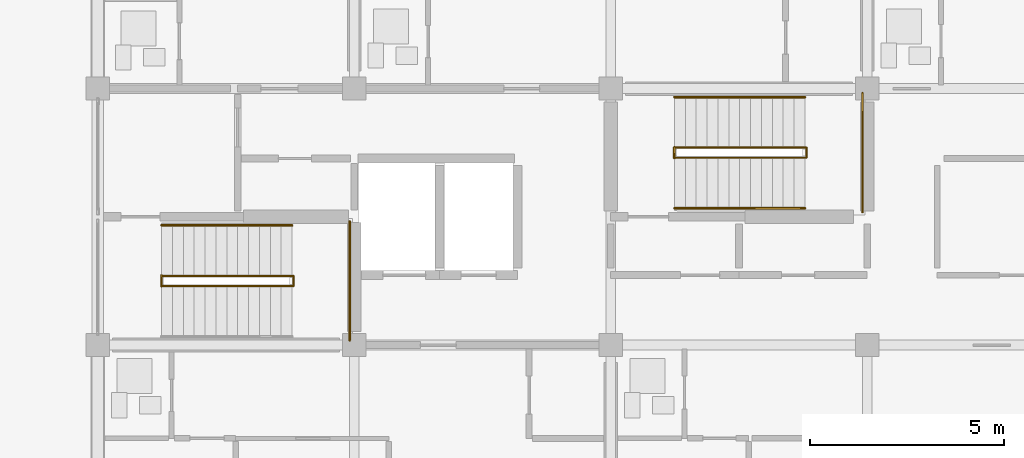
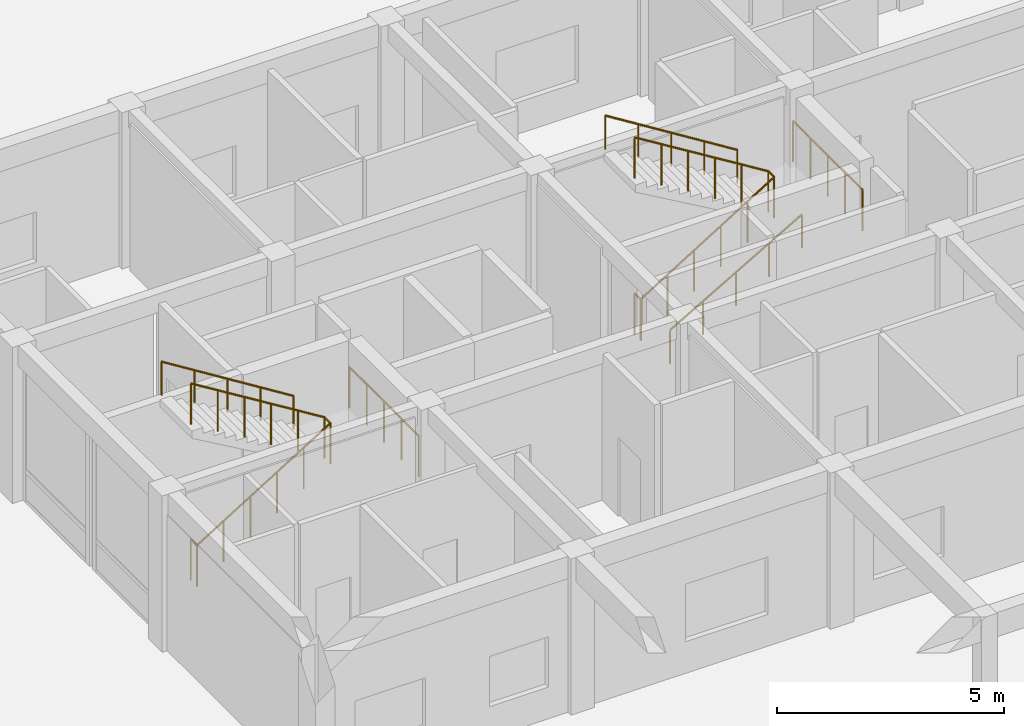
# One storey, part 86 of 92: 9 railings.
"""IFC4 building model written with IfcOpenShell, lengths in metres."""

from ifc_helpers import new_model, si_unit, direction, frame, origin, origin_2d, place, context, subcontext, project, spatial, circle, extrude, material, type_object, element, save


model = new_model("IFC4")

# Units and contexts
model_context = context("Model", 3, precision=1e-05, world=origin(), true_north=direction((0.0, 1.0)))
body_context = subcontext(model_context, "Body", "Model", "MODEL_VIEW")
ifc_project = project(units=[si_unit("LENGTHUNIT", "METRE"), si_unit("AREAUNIT", "SQUARE_METRE"), si_unit("VOLUMEUNIT", "CUBIC_METRE"), si_unit("PLANEANGLEUNIT", "RADIAN"), si_unit("MASSUNIT", "GRAM", prefix="KILO")], contexts=[model_context])

# Site, building, storey
site_placement = place(None, origin())
site = spatial("IfcSite", under=ifc_project, at=site_placement, CompositionType="ELEMENT")
building_placement = place(site_placement, origin())
building = spatial("IfcBuilding", under=site, at=building_placement, Name="Kernevlak Ridge Housing Community", CompositionType="ELEMENT")
storey_placement = place(building_placement, frame((0.0, 0.0, 4.199951171875)))
storey = spatial("IfcBuildingStorey", under=building, at=storey_placement, Name="L01", CompositionType="ELEMENT", Elevation=4.199951171875)

# Railings
ifc_material_1 = material(Name="Steel S355", Category="steel")
railing_type_1 = type_object("IfcRailingType", Name="GR-02", PredefinedType="GUARDRAIL", material=ifc_material_1)
railing_1_placement = place(storey_placement, frame((17.239990234375, 84.110107421875, 0.0)))
element("IfcRailing", 1, at=railing_1_placement, inside=storey, type_object=railing_type_1, Name="Stair ST-A1 L01 well slot guard", PredefinedType="GUARDRAIL", context=body_context, shape_type="SweptSolid", body=[
    extrude(circle(Radius=0.02392578125, at=origin_2d()), frame((0.0, 0.0, 1.09619140625), z_axis=(0.0, 1.0, 0.0), x_axis=(-1.0, 0.0, 0.0)), (0.0, 0.0, 1.0), 0.27978515625),
    extrude(circle(Radius=0.02099609375, at=origin_2d()), origin(), (0.0, 0.0, 1.0), 1.072021484375),
    extrude(circle(Radius=0.02099609375, at=origin_2d()), frame((0.0, 0.27978515625, 0.0)), (0.0, 0.0, 1.0), 1.072021484375),
])
railing_2_placement = place(storey_placement, frame((17.239990234375, 84.1201171875, 0.0)))
element("IfcRailing", 2, at=railing_2_placement, inside=storey, type_object=railing_type_1, Name="Stair ST-A1 L01 inner well guardrail", PredefinedType="GUARDRAIL", context=body_context, shape_type="SweptSolid", body=[
    extrude(circle(Radius=0.02392578125, at=origin_2d()), frame((0.0, 0.0, 1.09619140625), z_axis=(0.850780323153, 0.0, 0.525521495028), x_axis=(0.0, 1.0, 0.0)), (0.0, 0.0, 1.0), 3.996337890625),
    extrude(circle(Radius=0.02392578125, at=origin_2d()), frame((3.39990234375, 0.0, 3.1962890625), z_axis=(0.0, 1.0, 0.0), x_axis=(-1.0, 0.0, 0.0)), (0.0, 0.0, 1.0), 0.259765625),
    extrude(circle(Radius=0.02392578125, at=origin_2d()), frame((3.39990234375, 0.259765625, 3.1962890625), z_axis=(-0.85080763774, 0.0, 0.525477272167), x_axis=(0.0, -1.0, 0.0)), (0.0, 0.0, 1.0), 3.99609375),
    extrude(circle(Radius=0.02099609375, at=origin_2d()), origin(), (0.0, 0.0, 1.0), 1.072021484375),
    extrude(circle(Radius=0.02099609375, at=origin_2d()), frame((0.679931640625, 0.0, 0.419921875)), (0.0, 0.0, 1.0), 1.072021484375),
    extrude(circle(Radius=0.02099609375, at=origin_2d()), frame((1.35986328125, 0.0, 0.840087890625)), (0.0, 0.0, 1.0), 1.072021484375),
    extrude(circle(Radius=0.02099609375, at=origin_2d()), frame((2.0400390625, 0.0, 1.260009765625)), (0.0, 0.0, 1.0), 1.072021484375),
    extrude(circle(Radius=0.02099609375, at=origin_2d()), frame((2.719970703125, 0.0, 1.68017578125)), (0.0, 0.0, 1.0), 1.072021484375),
    extrude(circle(Radius=0.02099609375, at=origin_2d()), frame((3.39990234375, 0.0, 2.10009765625)), (0.0, 0.0, 1.0), 1.072021484375),
    extrude(circle(Radius=0.02099609375, at=origin_2d()), frame((3.39990234375, 0.259765625, 2.10009765625)), (0.0, 0.0, 1.0), 1.072021484375),
    extrude(circle(Radius=0.02099609375, at=origin_2d()), frame((2.719970703125, 0.259765625, 2.52001953125)), (0.0, 0.0, 1.0), 1.072021484375),
    extrude(circle(Radius=0.02099609375, at=origin_2d()), frame((2.0400390625, 0.259765625, 2.93994140625)), (0.0, 0.0, 1.0), 1.072021484375),
    extrude(circle(Radius=0.02099609375, at=origin_2d()), frame((1.35986328125, 0.259765625, 3.360107421875)), (0.0, 0.0, 1.0), 1.072021484375),
    extrude(circle(Radius=0.02099609375, at=origin_2d()), frame((0.679931640625, 0.259765625, 3.780029296875)), (0.0, 0.0, 1.0), 1.072021484375),
    extrude(circle(Radius=0.02099609375, at=origin_2d()), frame((0.0, 0.259765625, 4.199951171875)), (0.0, 0.0, 1.0), 1.072021484375),
])
railing_3_placement = place(storey_placement, frame((22.080078125, 82.719970703125, 2.10009765625)))
element("IfcRailing", 3, at=railing_3_placement, inside=storey, type_object=railing_type_1, Name="Stair ST-A1 L01 half-landing guard", PredefinedType="GUARDRAIL", context=body_context, shape_type="SweptSolid", body=[
    extrude(circle(Radius=0.02392578125, at=origin_2d()), frame((0.0, 0.0, 1.09619140625), z_axis=(0.0, 1.0, 0.0), x_axis=(-1.0, 0.0, 0.0)), (0.0, 0.0, 1.0), 3.06005859375),
    extrude(circle(Radius=0.02099609375, at=origin_2d()), origin(), (0.0, 0.0, 1.0), 1.072021484375),
    extrude(circle(Radius=0.02099609375, at=origin_2d()), frame((0.0, 0.76513671875, 0.0)), (0.0, 0.0, 1.0), 1.072021484375),
    extrude(circle(Radius=0.02099609375, at=origin_2d()), frame((0.0, 1.530029296875, 0.0)), (0.0, 0.0, 1.0), 1.072021484375),
    extrude(circle(Radius=0.02099609375, at=origin_2d()), frame((0.0, 2.294921875, 0.0)), (0.0, 0.0, 1.0), 1.072021484375),
    extrude(circle(Radius=0.02099609375, at=origin_2d()), frame((0.0, 3.06005859375, 0.0)), (0.0, 0.0, 1.0), 1.072021484375),
])
railing_4_placement = place(storey_placement, frame((30.43994140625, 87.409912109375, 0.0)))
element("IfcRailing", 4, at=railing_4_placement, inside=storey, type_object=railing_type_1, Name="Stair ST-A2 L01 well slot guard", PredefinedType="GUARDRAIL", context=body_context, shape_type="SweptSolid", body=[
    extrude(circle(Radius=0.02392578125, at=origin_2d()), frame((0.0, 0.0, 1.09619140625), z_axis=(0.0, 1.0, 0.0), x_axis=(-1.0, 0.0, 0.0)), (0.0, 0.0, 1.0), 0.280029296875),
    extrude(circle(Radius=0.02099609375, at=origin_2d()), origin(), (0.0, 0.0, 1.0), 1.072021484375),
    extrude(circle(Radius=0.02099609375, at=origin_2d()), frame((0.0, 0.280029296875, 0.0)), (0.0, 0.0, 1.0), 1.072021484375),
])
railing_5_placement = place(storey_placement, frame((30.43994140625, 87.419921875, 0.0)))
element("IfcRailing", 5, at=railing_5_placement, inside=storey, type_object=railing_type_1, Name="Stair ST-A2 L01 inner well guardrail", PredefinedType="GUARDRAIL", context=body_context, shape_type="SweptSolid", body=[
    extrude(circle(Radius=0.02392578125, at=origin_2d()), frame((0.0, 0.0, 1.09619140625), z_axis=(0.850797194049, 0.0, 0.525494181317), x_axis=(0.0, 1.0, 0.0)), (0.0, 0.0, 1.0), 3.996337890625),
    extrude(circle(Radius=0.02392578125, at=origin_2d()), frame((3.400146484375, 0.0, 3.1962890625), z_axis=(0.0, 1.0, 0.0), x_axis=(-1.0, 0.0, 0.0)), (0.0, 0.0, 1.0), 0.260009765625),
    extrude(circle(Radius=0.02392578125, at=origin_2d()), frame((3.400146484375, 0.260009765625, 3.1962890625), z_axis=(-0.850824506338, 0.0, 0.525449959001), x_axis=(0.0, -1.0, 0.0)), (0.0, 0.0, 1.0), 3.996337890625),
    extrude(circle(Radius=0.02099609375, at=origin_2d()), origin(), (0.0, 0.0, 1.0), 1.072021484375),
    extrude(circle(Radius=0.02099609375, at=origin_2d()), frame((0.679931640625, 0.0, 0.419921875)), (0.0, 0.0, 1.0), 1.072021484375),
    extrude(circle(Radius=0.02099609375, at=origin_2d()), frame((1.360107421875, 0.0, 0.840087890625)), (0.0, 0.0, 1.0), 1.072021484375),
    extrude(circle(Radius=0.02099609375, at=origin_2d()), frame((2.0400390625, 0.0, 1.260009765625)), (0.0, 0.0, 1.0), 1.072021484375),
    extrude(circle(Radius=0.02099609375, at=origin_2d()), frame((2.72021484375, 0.0, 1.68017578125)), (0.0, 0.0, 1.0), 1.072021484375),
    extrude(circle(Radius=0.02099609375, at=origin_2d()), frame((3.400146484375, 0.0, 2.10009765625)), (0.0, 0.0, 1.0), 1.072021484375),
    extrude(circle(Radius=0.02099609375, at=origin_2d()), frame((3.400146484375, 0.260009765625, 2.10009765625)), (0.0, 0.0, 1.0), 1.072021484375),
    extrude(circle(Radius=0.02099609375, at=origin_2d()), frame((2.72021484375, 0.260009765625, 2.52001953125)), (0.0, 0.0, 1.0), 1.072021484375),
    extrude(circle(Radius=0.02099609375, at=origin_2d()), frame((2.0400390625, 0.260009765625, 2.93994140625)), (0.0, 0.0, 1.0), 1.072021484375),
    extrude(circle(Radius=0.02099609375, at=origin_2d()), frame((1.360107421875, 0.260009765625, 3.360107421875)), (0.0, 0.0, 1.0), 1.072021484375),
    extrude(circle(Radius=0.02099609375, at=origin_2d()), frame((0.679931640625, 0.260009765625, 3.780029296875)), (0.0, 0.0, 1.0), 1.072021484375),
    extrude(circle(Radius=0.02099609375, at=origin_2d()), frame((0.0, 0.260009765625, 4.199951171875)), (0.0, 0.0, 1.0), 1.072021484375),
])
railing_6_placement = place(storey_placement, frame((35.280029296875, 86.02001953125, 2.10009765625)))
element("IfcRailing", 6, at=railing_6_placement, inside=storey, type_object=railing_type_1, Name="Stair ST-A2 L01 half-landing guard", PredefinedType="GUARDRAIL", context=body_context, shape_type="SweptSolid", body=[
    extrude(circle(Radius=0.02392578125, at=origin_2d()), frame((0.0, 0.0, 1.09619140625), z_axis=(0.0, 1.0, 0.0), x_axis=(-1.0, 0.0, 0.0)), (0.0, 0.0, 1.0), 3.06005859375),
    extrude(circle(Radius=0.02099609375, at=origin_2d()), origin(), (0.0, 0.0, 1.0), 1.072021484375),
    extrude(circle(Radius=0.02099609375, at=origin_2d()), frame((0.0, 0.76513671875, 0.0)), (0.0, 0.0, 1.0), 1.072021484375),
    extrude(circle(Radius=0.02099609375, at=origin_2d()), frame((0.0, 1.530029296875, 0.0)), (0.0, 0.0, 1.0), 1.072021484375),
    extrude(circle(Radius=0.02099609375, at=origin_2d()), frame((0.0, 2.294921875, 0.0)), (0.0, 0.0, 1.0), 1.072021484375),
    extrude(circle(Radius=0.02099609375, at=origin_2d()), frame((0.0, 3.06005859375, 0.0)), (0.0, 0.0, 1.0), 1.072021484375),
])
ifc_material_2 = material(Name="Stainless steel EN 1.4401", Category="steel")
railing_type_2 = type_object("IfcRailingType", Name="HR-01", PredefinedType="HANDRAIL", material=ifc_material_2)
railing_7_placement = place(storey_placement, frame((20.60009765625, 85.679931640625, 2.10009765625)))
element("IfcRailing", 7, at=railing_7_placement, inside=storey, type_object=railing_type_2, Name="Stair ST-A1 L01 flight 2 handrail", PredefinedType="HANDRAIL", context=body_context, shape_type="SweptSolid", body=[
    extrude(circle(Radius=0.02392578125, at=origin_2d()), frame((0.0, 0.0, 0.89599609375), z_axis=(-0.848022534174, 0.0, 0.529960169762), x_axis=(0.0, -1.0, 0.0)), (0.0, 0.0, 1.0), 3.96240234375),
    extrude(circle(Radius=0.02099609375, at=origin_2d()), origin(), (0.0, 0.0, 1.0), 0.871826171875),
    extrude(circle(Radius=0.02099609375, at=origin_2d()), frame((-0.840087890625, 0.0, 0.52490234375)), (0.0, 0.0, 1.0), 0.871826171875),
    extrude(circle(Radius=0.02099609375, at=origin_2d()), frame((-1.68017578125, 0.0, 1.0498046875)), (0.0, 0.0, 1.0), 0.871826171875),
    extrude(circle(Radius=0.02099609375, at=origin_2d()), frame((-2.52001953125, 0.0, 1.574951171875)), (0.0, 0.0, 1.0), 0.871826171875),
    extrude(circle(Radius=0.02099609375, at=origin_2d()), frame((-3.360107421875, 0.0, 2.099853515625)), (0.0, 0.0, 1.0), 0.871826171875),
])
railing_8_placement = place(storey_placement, frame((30.43994140625, 86.1201171875, 0.16162109375)))
element("IfcRailing", 8, at=railing_8_placement, inside=storey, type_object=railing_type_2, Name="Stair ST-A2 L01 flight 1 handrail", PredefinedType="HANDRAIL", context=body_context, shape_type="SweptSolid", body=[
    extrude(circle(Radius=0.02392578125, at=origin_2d()), frame((0.0, 0.0, 0.89599609375), z_axis=(0.866190824863, 0.0, 0.499713372768), x_axis=(0.0, 1.0, 0.0)), (0.0, 0.0, 1.0), 3.879150390625),
    extrude(circle(Radius=0.02099609375, at=origin_2d()), origin(), (0.0, 0.0, 1.0), 0.871826171875),
    extrude(circle(Radius=0.02099609375, at=origin_2d()), frame((0.840087890625, 0.0, 0.484619140625)), (0.0, 0.0, 1.0), 0.871826171875),
    extrude(circle(Radius=0.02099609375, at=origin_2d()), frame((1.68017578125, 0.0, 0.96923828125)), (0.0, 0.0, 1.0), 0.871826171875),
    extrude(circle(Radius=0.02099609375, at=origin_2d()), frame((2.52001953125, 0.0, 1.453857421875)), (0.0, 0.0, 1.0), 0.871826171875),
    extrude(circle(Radius=0.02099609375, at=origin_2d()), frame((3.360107421875, 0.0, 1.9384765625)), (0.0, 0.0, 1.0), 0.871826171875),
])
railing_9_placement = place(storey_placement, frame((33.800048828125, 88.97998046875, 2.10009765625)))
element("IfcRailing", 9, at=railing_9_placement, inside=storey, type_object=railing_type_2, Name="Stair ST-A2 L01 flight 2 handrail", PredefinedType="HANDRAIL", context=body_context, shape_type="SweptSolid", body=[
    extrude(circle(Radius=0.02392578125, at=origin_2d()), frame((0.0, 0.0, 0.89599609375), z_axis=(-0.848022534174, 0.0, 0.529960169762), x_axis=(0.0, -1.0, 0.0)), (0.0, 0.0, 1.0), 3.96240234375),
    extrude(circle(Radius=0.02099609375, at=origin_2d()), origin(), (0.0, 0.0, 1.0), 0.871826171875),
    extrude(circle(Radius=0.02099609375, at=origin_2d()), frame((-0.840087890625, 0.0, 0.52490234375)), (0.0, 0.0, 1.0), 0.871826171875),
    extrude(circle(Radius=0.02099609375, at=origin_2d()), frame((-1.68017578125, 0.0, 1.0498046875)), (0.0, 0.0, 1.0), 0.871826171875),
    extrude(circle(Radius=0.02099609375, at=origin_2d()), frame((-2.52001953125, 0.0, 1.574951171875)), (0.0, 0.0, 1.0), 0.871826171875),
    extrude(circle(Radius=0.02099609375, at=origin_2d()), frame((-3.360107421875, 0.0, 2.099853515625)), (0.0, 0.0, 1.0), 0.871826171875),
])

save(model, "model.ifc")
